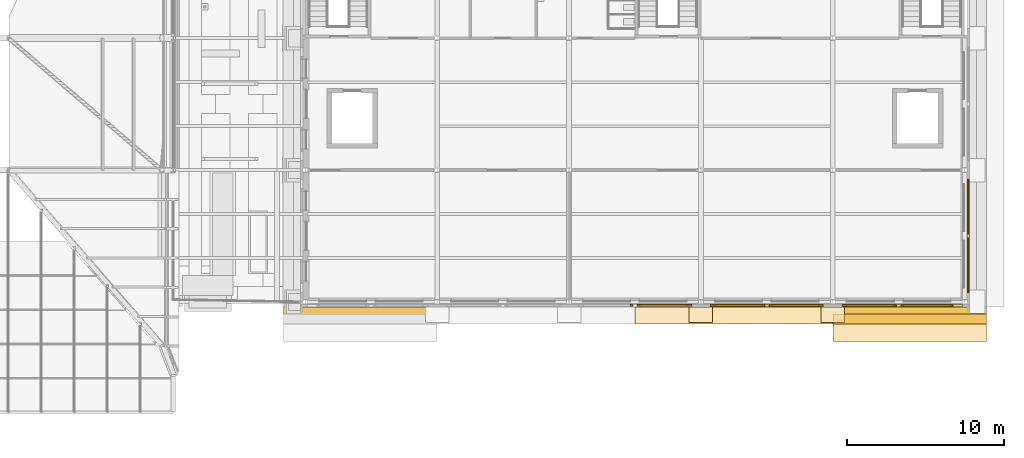
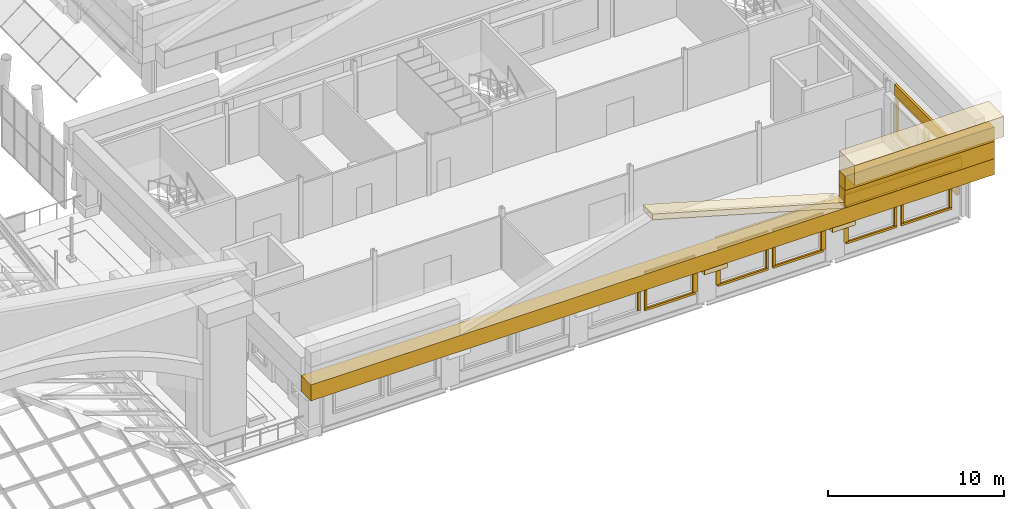
# One storey, part 61 of 76: 39 coverings.
"""IFC4 building model written with IfcOpenShell, lengths in metres."""

from ifc_helpers import new_model, si_unit, direction, frame, origin, origin_2d, place, context, subcontext, project, spatial, polyline, rectangle, outline, extrude, material, layer, layer_set, type_object, element, save


model = new_model("IFC4")

# Units and contexts
model_context = context("Model", 3, precision=1e-05, world=origin(), true_north=direction((0.0, 1.0)))
body_context = subcontext(model_context, "Body", "Model", "MODEL_VIEW")
ifc_project = project(units=[si_unit("LENGTHUNIT", "METRE"), si_unit("AREAUNIT", "SQUARE_METRE"), si_unit("VOLUMEUNIT", "CUBIC_METRE"), si_unit("PLANEANGLEUNIT", "RADIAN"), si_unit("MASSUNIT", "GRAM", prefix="KILO")], contexts=[model_context])

# Site, building, storey
site_placement = place(None, origin())
site = spatial("IfcSite", under=ifc_project, at=site_placement, CompositionType="ELEMENT")
building_placement = place(site_placement, origin())
building = spatial("IfcBuilding", under=site, at=building_placement, Name="Sava Quay Ferry Terminal", CompositionType="ELEMENT")
storey_placement = place(building_placement, frame((0.0, 0.0, 10.800048828125)))
storey = spatial("IfcBuildingStorey", under=building, at=storey_placement, Name="L02", CompositionType="ELEMENT", Elevation=10.800048828125)

# Coverings
ifc_material_1 = material(Name="Limestone Mutalj", Category="masonry")
ifc_layer_1 = layer(ifc_material_1, 1.75)
ifc_layer_set_1 = layer_set([ifc_layer_1], Name="Limestone Mutalj")
covering_type_1 = type_object("IfcCoveringType", Name="Attic crown cornice 1400", PredefinedType="MOLDING", material=ifc_layer_set_1)
covering_1_placement = place(storey_placement, frame((122.489990234375, 23.56494140625, 6.39990234375), z_axis=(0.0, 0.0, 1.0), x_axis=(1.0, 0.0, 0.0)))
element("IfcCovering", 1, at=covering_1_placement, inside=storey, type_object=covering_type_1, Name="Attic crown cornice", PredefinedType="MOLDING", context=body_context, shape_type="SweptSolid", body=[
    extrude(rectangle(XDim=9.780029296875, YDim=1.75, at=origin_2d()), origin(), (0.0, 0.0, 1.0), 1.39990234375),
])
ifc_material_2 = material(Name="Limestone Mutalj", Category="masonry")
ifc_layer_2 = layer(ifc_material_2, 0.64990234375)
ifc_layer_set_2 = layer_set([ifc_layer_2], Name="Limestone Mutalj")
covering_type_2 = type_object("IfcCoveringType", Name="Attic frieze 1000", PredefinedType="CLADDING", material=ifc_layer_set_2)
covering_2_placement = place(storey_placement, frame((122.489990234375, 24.114990234375, 5.39990234375), z_axis=(0.0, 0.0, 1.0), x_axis=(1.0, 0.0, 0.0)))
element("IfcCovering", 2, at=covering_2_placement, inside=storey, type_object=covering_type_2, Name="Attic frieze", PredefinedType="CLADDING", context=body_context, shape_type="SweptSolid", body=[
    extrude(rectangle(XDim=9.780029296875, YDim=0.64990234375, at=origin_2d()), origin(), (0.0, 0.0, 1.0), 1.0),
])
ifc_material_3 = material(Name="Limestone Mutalj", Category="masonry")
ifc_layer_3 = layer(ifc_material_3, 0.64990234375)
ifc_layer_set_3 = layer_set([ifc_layer_3], Name="Limestone Mutalj")
covering_type_3 = type_object("IfcCoveringType", Name="Attic parapet 650", PredefinedType="MOLDING", material=ifc_layer_set_3)
covering_3_placement = place(storey_placement, frame((122.489990234375, 24.114990234375, 4.2001953125), z_axis=(0.0, 0.0, 1.0), x_axis=(1.0, 0.0, 0.0)))
element("IfcCovering", 3, at=covering_3_placement, inside=storey, type_object=covering_type_3, Name="Attic parapet P S", PredefinedType="MOLDING", context=body_context, shape_type="SweptSolid", body=[
    extrude(rectangle(XDim=9.780029296875, YDim=0.64990234375, at=origin_2d()), origin(), (0.0, 0.0, 1.0), 1.199951171875),
])
ifc_material_4 = material(Name="Limestone Mutalj", Category="masonry")
ifc_layer_4 = layer(ifc_material_4, 1.10009765625)
ifc_layer_set_4 = layer_set([ifc_layer_4], Name="Limestone Mutalj")
covering_type_4 = type_object("IfcCoveringType", Name="Eaves cornice 1100", PredefinedType="MOLDING", material=ifc_layer_set_4)
covering_4_placement = place(storey_placement, frame((105.0, 24.340087890625, 3.099853515625), z_axis=(0.0, 0.0, 1.0), x_axis=(1.0, 0.0, 0.0)))
element("IfcCovering", 4, at=covering_4_placement, inside=storey, type_object=covering_type_4, Name="Eaves cornice P S", PredefinedType="MOLDING", context=body_context, shape_type="SweptSolid", body=[
    extrude(rectangle(XDim=44.760009765625, YDim=1.10009765625, at=origin_2d()), origin(), (0.0, 0.0, 1.0), 1.10009765625),
])
ifc_material_5 = material(Name="Limestone Mutalj", Category="masonry")
ifc_layer_5 = layer(ifc_material_5, 0.14990234375)
ifc_layer_set_5 = layer_set([ifc_layer_5], Name="Limestone Mutalj")
covering_type_5 = type_object("IfcCoveringType", Name="Limestone string course 150", PredefinedType="CLADDING", material=ifc_layer_set_5)
covering_5_placement = place(storey_placement, frame((0.0, 0.0, 3.449951171875)))
element("IfcCovering", 5, at=covering_5_placement, inside=storey, type_object=covering_type_5, Name="String course P-E", PredefinedType="CLADDING", context=body_context, shape_type="SweptSolid", body=[
    extrude(outline(polyline([(126.14990234375, 25.800048828125), (126.14990234375, 33.0), (126.300048828125, 33.0), (126.300048828125, 25.800048828125), (126.14990234375, 25.800048828125)])), origin(), (0.0, 0.0, 1.0), 0.75),
])
covering_6_placement = place(storey_placement, frame((0.0, 0.0, 3.449951171875)))
element("IfcCovering", 6, at=covering_6_placement, inside=storey, type_object=covering_type_5, Name="String course P-S", PredefinedType="CLADDING", context=body_context, shape_type="SweptSolid", body=[
    extrude(outline(polyline([(109.800048828125, 25.0400390625), (117.0, 25.0400390625), (117.0, 24.889892578125), (109.800048828125, 24.889892578125), (109.800048828125, 25.0400390625)])), origin(), (0.0, 0.0, 1.0), 0.75),
])
covering_7_placement = place(storey_placement, frame((0.0, 0.0, 3.449951171875)))
element("IfcCovering", 7, at=covering_7_placement, inside=storey, type_object=covering_type_5, Name="String course P-S", PredefinedType="CLADDING", context=body_context, shape_type="SweptSolid", body=[
    extrude(outline(polyline([(118.199951171875, 25.0400390625), (125.8701171875, 25.0400390625), (125.8701171875, 24.889892578125), (118.199951171875, 24.889892578125), (118.199951171875, 25.0400390625)])), origin(), (0.0, 0.0, 1.0), 0.75),
])
ifc_material_6 = material(Name="Limestone Mutalj", Category="masonry")
ifc_layer_6 = layer(ifc_material_6, 1.0)
ifc_layer_set_6 = layer_set([ifc_layer_6], Name="Limestone Mutalj")
covering_type_6 = type_object("IfcCoveringType", Name="Pilaster capital block 1500", PredefinedType="MOLDING", material=ifc_layer_set_6)
for number, where, z_axis, x_axis, name in (
    (8, (109.199951171875, 24.389892578125, 2.699951171875), (0.0, 0.0, 1.0), (1.0, 0.0, 0.0), "Giant-order capital"),
    (9, (117.60009765625, 24.389892578125, 2.699951171875), (0.0, 0.0, 1.0), (1.0, 0.0, 0.0), "Giant-order capital"),
):
    element("IfcCovering", number, at=place(storey_placement, frame(where, z_axis=z_axis, x_axis=x_axis)), inside=storey, type_object=covering_type_6, Name=name, PredefinedType="MOLDING", context=body_context, shape_type="SweptSolid", body=[
        extrude(rectangle(XDim=1.5, YDim=1.0, at=origin_2d()), origin(), (0.0, 0.0, 1.0), 0.39990234375),
    ])
ifc_material_7 = material(Name="Limestone Mutalj", Category="masonry")
ifc_layer_7 = layer(ifc_material_7, 0.1201171875)
ifc_layer_set_7 = layer_set([ifc_layer_7], Name="Limestone Mutalj")
covering_type_7 = type_object("IfcCoveringType", Name="Plain window architrave 150", PredefinedType="MOLDING", material=ifc_layer_set_7)
covering_8_placement = place(storey_placement, frame((126.2099609375, 25.949951171875, 0.89990234375), z_axis=(0.0, 0.0, 1.0), x_axis=(1.0, 0.0, 0.0)))
element("IfcCovering", 10, at=covering_8_placement, inside=storey, type_object=covering_type_7, Name="Plain window architrave", PredefinedType="MOLDING", context=body_context, shape_type="SweptSolid", body=[
    extrude(rectangle(XDim=0.1201171875, YDim=0.300048828125, at=origin_2d()), origin(), (0.0, 0.0, 1.0), 2.39990234375),
])
covering_9_placement = place(storey_placement, frame((126.2099609375, 29.175048828125, 0.89990234375), z_axis=(0.0, 0.0, 1.0), x_axis=(1.0, 0.0, 0.0)))
element("IfcCovering", 11, at=covering_9_placement, inside=storey, type_object=covering_type_7, Name="Plain window architrave", PredefinedType="MOLDING", context=body_context, shape_type="SweptSolid", body=[
    extrude(rectangle(XDim=0.1201171875, YDim=0.14990234375, at=origin_2d()), origin(), (0.0, 0.0, 1.0), 2.39990234375),
])
for number, where, z_axis, x_axis, name in (
    (12, (126.2099609375, 27.60009765625, 3.300048828125), (0.0, 0.0, 1.0), (1.0, 0.0, 0.0), "Plain window architrave"),
    (13, (126.2099609375, 27.60009765625, 0.75), (0.0, 0.0, 1.0), (1.0, 0.0, 0.0), "Plain window architrave"),
):
    element("IfcCovering", number, at=place(storey_placement, frame(where, z_axis=z_axis, x_axis=x_axis)), inside=storey, type_object=covering_type_7, Name=name, PredefinedType="MOLDING", context=body_context, shape_type="SweptSolid", body=[
        extrude(rectangle(XDim=0.1201171875, YDim=3.300048828125, at=origin_2d()), origin(), (0.0, 0.0, 1.0), 0.14990234375),
    ])
covering_10_placement = place(storey_placement, frame((126.2099609375, 29.625, 0.89990234375), z_axis=(0.0, 0.0, 1.0), x_axis=(1.0, 0.0, 0.0)))
element("IfcCovering", 14, at=covering_10_placement, inside=storey, type_object=covering_type_7, Name="Plain window architrave", PredefinedType="MOLDING", context=body_context, shape_type="SweptSolid", body=[
    extrude(rectangle(XDim=0.1201171875, YDim=0.14990234375, at=origin_2d()), origin(), (0.0, 0.0, 1.0), 2.39990234375),
])
covering_11_placement = place(storey_placement, frame((126.2099609375, 32.85009765625, 0.89990234375), z_axis=(0.0, 0.0, 1.0), x_axis=(1.0, 0.0, 0.0)))
element("IfcCovering", 15, at=covering_11_placement, inside=storey, type_object=covering_type_7, Name="Plain window architrave", PredefinedType="MOLDING", context=body_context, shape_type="SweptSolid", body=[
    extrude(rectangle(XDim=0.1201171875, YDim=0.300048828125, at=origin_2d()), origin(), (0.0, 0.0, 1.0), 2.39990234375),
])
for number, where, z_axis, x_axis, name in (
    (16, (126.2099609375, 31.199951171875, 3.300048828125), (0.0, 0.0, 1.0), (1.0, 0.0, 0.0), "Plain window architrave"),
    (17, (126.2099609375, 31.199951171875, 0.75), (0.0, 0.0, 1.0), (1.0, 0.0, 0.0), "Plain window architrave"),
):
    element("IfcCovering", number, at=place(storey_placement, frame(where, z_axis=z_axis, x_axis=x_axis)), inside=storey, type_object=covering_type_7, Name=name, PredefinedType="MOLDING", context=body_context, shape_type="SweptSolid", body=[
        extrude(rectangle(XDim=0.1201171875, YDim=3.300048828125, at=origin_2d()), origin(), (0.0, 0.0, 1.0), 0.14990234375),
    ])
for number, where, z_axis, x_axis, name in (
    (18, (104.77490234375, 24.97998046875, 0.89990234375), (0.0, 0.0, 1.0), (1.0, 0.0, 0.0), "Plain window architrave"),
    (19, (105.22509765625, 24.97998046875, 0.89990234375), (0.0, 0.0, 1.0), (1.0, 0.0, 0.0), "Plain window architrave"),
):
    element("IfcCovering", number, at=place(storey_placement, frame(where, z_axis=z_axis, x_axis=x_axis)), inside=storey, type_object=covering_type_7, Name=name, PredefinedType="MOLDING", context=body_context, shape_type="SweptSolid", body=[
        extrude(rectangle(XDim=0.14990234375, YDim=0.1201171875, at=origin_2d()), origin(), (0.0, 0.0, 1.0), 2.39990234375),
    ])
covering_12_placement = place(storey_placement, frame((108.449951171875, 24.97998046875, 0.89990234375), z_axis=(0.0, 0.0, 1.0), x_axis=(1.0, 0.0, 0.0)))
element("IfcCovering", 20, at=covering_12_placement, inside=storey, type_object=covering_type_7, Name="Plain window architrave", PredefinedType="MOLDING", context=body_context, shape_type="SweptSolid", body=[
    extrude(rectangle(XDim=0.300048828125, YDim=0.1201171875, at=origin_2d()), origin(), (0.0, 0.0, 1.0), 2.39990234375),
])
for number, where, z_axis, x_axis, name in (
    (21, (106.800048828125, 24.97998046875, 3.300048828125), (0.0, 0.0, 1.0), (1.0, 0.0, 0.0), "Plain window architrave"),
    (22, (106.800048828125, 24.97998046875, 0.75), (0.0, 0.0, 1.0), (1.0, 0.0, 0.0), "Plain window architrave"),
):
    element("IfcCovering", number, at=place(storey_placement, frame(where, z_axis=z_axis, x_axis=x_axis)), inside=storey, type_object=covering_type_7, Name=name, PredefinedType="MOLDING", context=body_context, shape_type="SweptSolid", body=[
        extrude(rectangle(XDim=3.300048828125, YDim=0.1201171875, at=origin_2d()), origin(), (0.0, 0.0, 1.0), 0.14990234375),
    ])
covering_13_placement = place(storey_placement, frame((109.949951171875, 24.97998046875, 0.89990234375), z_axis=(0.0, 0.0, 1.0), x_axis=(1.0, 0.0, 0.0)))
element("IfcCovering", 23, at=covering_13_placement, inside=storey, type_object=covering_type_7, Name="Plain window architrave", PredefinedType="MOLDING", context=body_context, shape_type="SweptSolid", body=[
    extrude(rectangle(XDim=0.300048828125, YDim=0.1201171875, at=origin_2d()), origin(), (0.0, 0.0, 1.0), 2.39990234375),
])
covering_14_placement = place(storey_placement, frame((113.175048828125, 24.97998046875, 0.89990234375), z_axis=(0.0, 0.0, 1.0), x_axis=(1.0, 0.0, 0.0)))
element("IfcCovering", 24, at=covering_14_placement, inside=storey, type_object=covering_type_7, Name="Plain window architrave", PredefinedType="MOLDING", context=body_context, shape_type="SweptSolid", body=[
    extrude(rectangle(XDim=0.14990234375, YDim=0.1201171875, at=origin_2d()), origin(), (0.0, 0.0, 1.0), 2.39990234375),
])
for number, where, z_axis, x_axis, name in (
    (25, (111.60009765625, 24.97998046875, 3.300048828125), (0.0, 0.0, 1.0), (1.0, 0.0, 0.0), "Plain window architrave"),
    (26, (111.60009765625, 24.97998046875, 0.75), (0.0, 0.0, 1.0), (1.0, 0.0, 0.0), "Plain window architrave"),
):
    element("IfcCovering", number, at=place(storey_placement, frame(where, z_axis=z_axis, x_axis=x_axis)), inside=storey, type_object=covering_type_7, Name=name, PredefinedType="MOLDING", context=body_context, shape_type="SweptSolid", body=[
        extrude(rectangle(XDim=3.300048828125, YDim=0.1201171875, at=origin_2d()), origin(), (0.0, 0.0, 1.0), 0.14990234375),
    ])
covering_15_placement = place(storey_placement, frame((113.625, 24.97998046875, 0.89990234375), z_axis=(0.0, 0.0, 1.0), x_axis=(1.0, 0.0, 0.0)))
element("IfcCovering", 27, at=covering_15_placement, inside=storey, type_object=covering_type_7, Name="Plain window architrave", PredefinedType="MOLDING", context=body_context, shape_type="SweptSolid", body=[
    extrude(rectangle(XDim=0.14990234375, YDim=0.1201171875, at=origin_2d()), origin(), (0.0, 0.0, 1.0), 2.39990234375),
])
covering_16_placement = place(storey_placement, frame((116.85009765625, 24.97998046875, 0.89990234375), z_axis=(0.0, 0.0, 1.0), x_axis=(1.0, 0.0, 0.0)))
element("IfcCovering", 28, at=covering_16_placement, inside=storey, type_object=covering_type_7, Name="Plain window architrave", PredefinedType="MOLDING", context=body_context, shape_type="SweptSolid", body=[
    extrude(rectangle(XDim=0.300048828125, YDim=0.1201171875, at=origin_2d()), origin(), (0.0, 0.0, 1.0), 2.39990234375),
])
for number, where, z_axis, x_axis, name in (
    (29, (115.199951171875, 24.97998046875, 3.300048828125), (0.0, 0.0, 1.0), (1.0, 0.0, 0.0), "Plain window architrave"),
    (30, (115.199951171875, 24.97998046875, 0.75), (0.0, 0.0, 1.0), (1.0, 0.0, 0.0), "Plain window architrave"),
):
    element("IfcCovering", number, at=place(storey_placement, frame(where, z_axis=z_axis, x_axis=x_axis)), inside=storey, type_object=covering_type_7, Name=name, PredefinedType="MOLDING", context=body_context, shape_type="SweptSolid", body=[
        extrude(rectangle(XDim=3.300048828125, YDim=0.1201171875, at=origin_2d()), origin(), (0.0, 0.0, 1.0), 0.14990234375),
    ])
covering_17_placement = place(storey_placement, frame((118.35009765625, 24.97998046875, 0.89990234375), z_axis=(0.0, 0.0, 1.0), x_axis=(1.0, 0.0, 0.0)))
element("IfcCovering", 31, at=covering_17_placement, inside=storey, type_object=covering_type_7, Name="Plain window architrave", PredefinedType="MOLDING", context=body_context, shape_type="SweptSolid", body=[
    extrude(rectangle(XDim=0.300048828125, YDim=0.1201171875, at=origin_2d()), origin(), (0.0, 0.0, 1.0), 2.39990234375),
])
covering_18_placement = place(storey_placement, frame((121.574951171875, 24.97998046875, 0.89990234375), z_axis=(0.0, 0.0, 1.0), x_axis=(1.0, 0.0, 0.0)))
element("IfcCovering", 32, at=covering_18_placement, inside=storey, type_object=covering_type_7, Name="Plain window architrave", PredefinedType="MOLDING", context=body_context, shape_type="SweptSolid", body=[
    extrude(rectangle(XDim=0.14990234375, YDim=0.1201171875, at=origin_2d()), origin(), (0.0, 0.0, 1.0), 2.39990234375),
])
for number, where, z_axis, x_axis, name in (
    (33, (120.0, 24.97998046875, 3.300048828125), (0.0, 0.0, 1.0), (1.0, 0.0, 0.0), "Plain window architrave"),
    (34, (120.0, 24.97998046875, 0.75), (0.0, 0.0, 1.0), (1.0, 0.0, 0.0), "Plain window architrave"),
):
    element("IfcCovering", number, at=place(storey_placement, frame(where, z_axis=z_axis, x_axis=x_axis)), inside=storey, type_object=covering_type_7, Name=name, PredefinedType="MOLDING", context=body_context, shape_type="SweptSolid", body=[
        extrude(rectangle(XDim=3.300048828125, YDim=0.1201171875, at=origin_2d()), origin(), (0.0, 0.0, 1.0), 0.14990234375),
    ])
for number, where, z_axis, x_axis, name in (
    (35, (122.02490234375, 24.97998046875, 0.89990234375), (0.0, 0.0, 1.0), (1.0, 0.0, 0.0), "Plain window architrave"),
    (36, (125.175048828125, 24.97998046875, 0.89990234375), (0.0, 0.0, 1.0), (1.0, 0.0, 0.0), "Plain window architrave"),
):
    element("IfcCovering", number, at=place(storey_placement, frame(where, z_axis=z_axis, x_axis=x_axis)), inside=storey, type_object=covering_type_7, Name=name, PredefinedType="MOLDING", context=body_context, shape_type="SweptSolid", body=[
        extrude(rectangle(XDim=0.14990234375, YDim=0.1201171875, at=origin_2d()), origin(), (0.0, 0.0, 1.0), 2.39990234375),
    ])
for number, where, z_axis, x_axis, name in (
    (37, (123.60009765625, 24.97998046875, 3.300048828125), (0.0, 0.0, 1.0), (1.0, 0.0, 0.0), "Plain window architrave"),
    (38, (123.60009765625, 24.97998046875, 0.75), (0.0, 0.0, 1.0), (1.0, 0.0, 0.0), "Plain window architrave"),
):
    element("IfcCovering", number, at=place(storey_placement, frame(where, z_axis=z_axis, x_axis=x_axis)), inside=storey, type_object=covering_type_7, Name=name, PredefinedType="MOLDING", context=body_context, shape_type="SweptSolid", body=[
        extrude(rectangle(XDim=3.300048828125, YDim=0.1201171875, at=origin_2d()), origin(), (0.0, 0.0, 1.0), 0.14990234375),
    ])
ifc_material_8 = material(Name="Limestone Mutalj", Category="masonry")
ifc_layer_8 = layer(ifc_material_8, 1.39990234375)
ifc_layer_set_8 = layer_set([ifc_layer_8], Name="Limestone Mutalj")
covering_type_8 = type_object("IfcCoveringType", Name="Raking cornice 500", PredefinedType="MOLDING", material=ifc_layer_set_8)
covering_19_placement = place(storey_placement, frame((105.0, 23.7900390625, 7.800048828125), z_axis=(0.0, -1.0, 0.0), x_axis=(0.961522541549, 0.0, -0.27472604917)))
element("IfcCovering", 39, at=covering_19_placement, inside=storey, type_object=covering_type_8, Name="Front raking cornice P S", PredefinedType="MOLDING", context=body_context, shape_type="SweptSolid", body=[
    extrude(outline(polyline([(0.0, 0.0), (13.104318527934732, -4.440892098500626e-16), (12.99445493698231, 0.3845151179339794), (-0.10986359095242128, 0.3845151179339796), (0.0, 0.0)])), origin(), (0.0, 0.0, -1.0), 1.10009765625),
])

save(model, "model.ifc")
